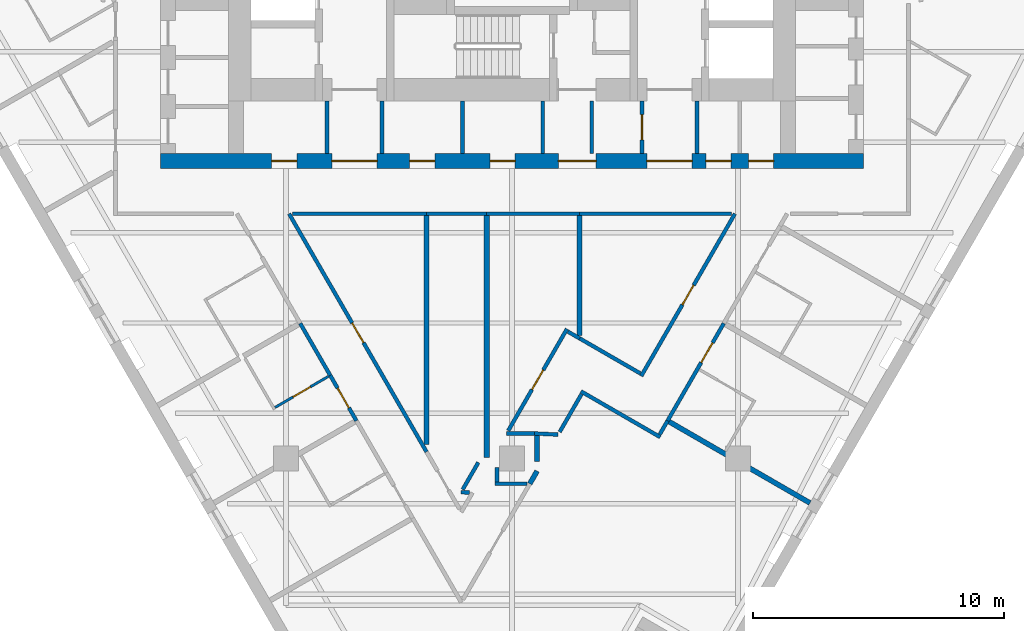
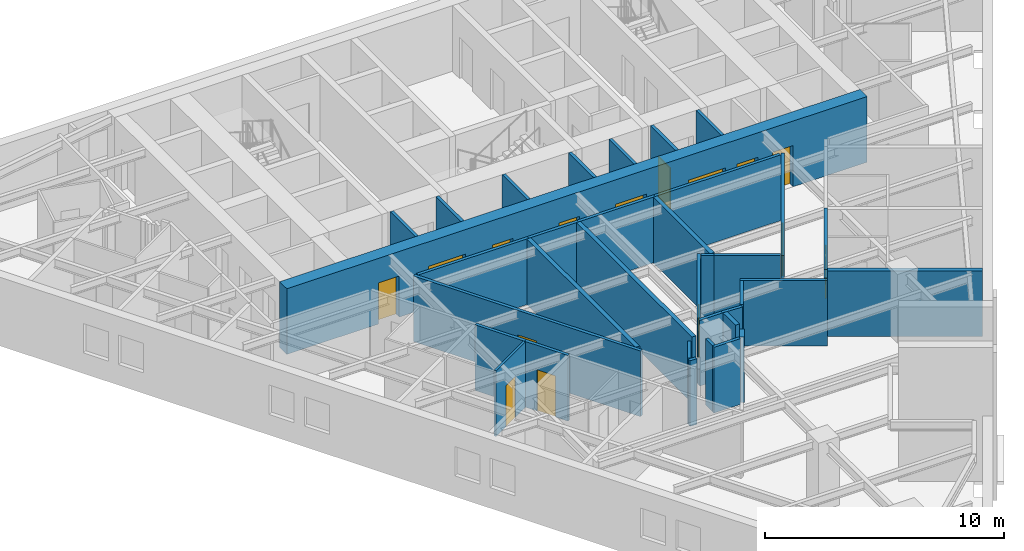
# One storey, part 4 of 11: 36 walls, 15 doors, 15 openings.
"""IFC4 building model written with IfcOpenShell, lengths in metres."""

from ifc_helpers import new_model, si_unit, direction, frame, frame_2d, origin, place, context, subcontext, project, spatial, rectangle, extrude, material, layer, layer_set, type_object, element, fill, save


model = new_model("IFC4")

# Units and contexts
model_context = context("Model", 3, precision=1e-05, world=origin(), true_north=direction((0.0, 1.0)))
body_context = subcontext(model_context, "Body", "Model", "MODEL_VIEW")
ifc_project = project(units=[si_unit("LENGTHUNIT", "METRE"), si_unit("AREAUNIT", "SQUARE_METRE"), si_unit("VOLUMEUNIT", "CUBIC_METRE"), si_unit("PLANEANGLEUNIT", "RADIAN"), si_unit("MASSUNIT", "GRAM", prefix="KILO")], contexts=[model_context])

# Site, building, storey
site_placement = place(None, origin())
site = spatial("IfcSite", under=ifc_project, at=site_placement, CompositionType="ELEMENT")
building_placement = place(site_placement, origin())
building = spatial("IfcBuilding", under=site, at=building_placement, Name="Aloe Facet Convention Tower", CompositionType="ELEMENT")
storey_placement = place(building_placement, frame((0.0, 0.0, 66.5)))
storey = spatial("IfcBuildingStorey", under=building, at=storey_placement, Name="L15", CompositionType="ELEMENT", Elevation=66.5)

# Walls
ifc_material_1 = material(Name="Concrete blockwork partition", Category="masonry")
ifc_layer_1 = layer(ifc_material_1, 0.14990234375)
ifc_layer_set_1 = layer_set([ifc_layer_1], Name="CR-W-PART150")
wall_type_1 = type_object("IfcWallType", Name="CR-W-PART150", PredefinedType="PARTITIONING", material=ifc_layer_set_1)
for number, where, z_axis, x_axis, name in (
    (1, (72.625, 122.25, 0.0), (0.0, 0.0, 1.0), (0.0, -1.0, 0.0), "Core partition L15-017"),
    (2, (74.824951171875, 122.25, 0.0), (0.0, 0.0, 1.0), (0.0, -1.0, 0.0), "Core partition L15-018"),
    (3, (78.02490234375, 122.25, 0.0), (0.0, 0.0, 1.0), (0.0, -1.0, 0.0), "Core partition L15-026"),
    (4, (81.22509765625, 122.25, 0.0), (0.0, 0.0, 1.0), (0.0, -1.0, 0.0), "Core partition L15-027"),
    (5, (83.175048828125, 122.25, 0.0), (0.0, 0.0, 1.0), (0.0, -1.0, 0.0), "Core partition L15-034"),
):
    element("IfcWall", number, at=place(storey_placement, frame(where, z_axis=z_axis, x_axis=x_axis)), inside=storey, type_object=wall_type_1, Name=name, PredefinedType="PARTITIONING", context=body_context, shape_type="SweptSolid", body=[
        extrude(rectangle(XDim=2.10009765625, YDim=0.14990234375, at=frame_2d((1.050048828125, 0.0))), origin(), (0.0, 0.0, 1.0), 3.35009765625),
    ])

# Wall, opening, door
wall_1_placement = place(storey_placement, frame((85.175048828125, 122.25, 0.0), z_axis=(0.0, 0.0, 1.0), x_axis=(0.0, -1.0, 0.0)))
wall_1 = element("IfcWall", 6, at=wall_1_placement, inside=storey, type_object=wall_type_1, Name="Core partition L15-040", PredefinedType="PARTITIONING", context=body_context, shape_type="SweptSolid", body=[
    extrude(rectangle(XDim=2.10009765625, YDim=0.14990234375, at=frame_2d((1.050048828125, 0.0))), origin(), (0.0, 0.0, 1.0), 3.35009765625),
])
opening_1_placement = place(wall_1_placement, frame((0.550048828125, 0.0, 0.0)))
opening_1 = element("IfcOpeningElement", 7, at=opening_1_placement, cuts=wall_1, Name="Opening L15-CD27", PredefinedType="OPENING", context=body_context, shape_type="SweptSolid", body=[
    extrude(rectangle(XDim=1.0, YDim=2.10009765625, at=frame_2d((0.5, 1.050048828125))), frame((0.0, 0.0849609375, 0.0), z_axis=(0.0, -1.0, 0.0), x_axis=(1.0, 0.0, 0.0)), (0.0, 0.0, 1.0), 0.169921875),
])
ifc_material_2 = material(Name="Steel fire-resisting door set FD60", Category="steel")
door_type_1 = type_object("IfcDoorType", Name="CR-D-ROOM-1000-FD60-SRIGHT", OperationType="SINGLE_SWING_RIGHT", PredefinedType="DOOR", material=ifc_material_2)
door_1_placement = place(opening_1_placement, origin())
door_1 = element("IfcDoor", 8, at=door_1_placement, inside=storey, type_object=door_type_1, Name="Core door L15-CD27", OperationType="SINGLE_SWING_RIGHT", OverallHeight=2.10009765625, OverallWidth=1.0, PredefinedType="DOOR", context=body_context, shape_type="SweptSolid", body=[
    extrude(rectangle(XDim=1.0, YDim=2.10009765625, at=frame_2d((0.5, 1.050048828125))), frame((0.0, 0.02490234375, 0.0), z_axis=(0.0, -1.0, 0.0), x_axis=(1.0, 0.0, 0.0)), (0.0, 0.0, 1.0), 0.050048828125),
])
fill(opening_1, door_1)

# Wall
wall_2_placement = place(storey_placement, frame((87.375, 122.25, 0.0), z_axis=(0.0, 0.0, 1.0), x_axis=(0.0, -1.0, 0.0)))
element("IfcWall", 9, at=wall_2_placement, inside=storey, type_object=wall_type_1, Name="Core partition L15-041", PredefinedType="PARTITIONING", context=body_context, shape_type="SweptSolid", body=[
    extrude(rectangle(XDim=2.10009765625, YDim=0.14990234375, at=frame_2d((1.050048828125, 0.0))), origin(), (0.0, 0.0, 1.0), 3.35009765625),
])

# Wall, openings, doors
ifc_material_3 = material(Name="Concrete C80/95", Category="concrete")
ifc_layer_2 = layer(ifc_material_3, 0.60009765625)
ifc_layer_set_2 = layer_set([ifc_layer_2], Name="CR-W-RC600-C8095")
wall_type_2 = type_object("IfcWallType", Name="CR-W-RC600-C8095", PredefinedType="SOLIDWALL", material=ifc_layer_set_2)
wall_3_placement = place(storey_placement, frame((66.0, 119.85009765625, 0.0), z_axis=(0.0, 0.0, 1.0), x_axis=(1.0, 0.0, 0.0)))
wall_3 = element("IfcWall", 10, at=wall_3_placement, inside=storey, type_object=wall_type_2, Name="Core wall L15-003", PredefinedType="SOLIDWALL", context=body_context, shape_type="SweptSolid", body=[
    extrude(rectangle(XDim=28.0, YDim=0.60009765625, at=frame_2d((14.0, 0.0))), origin(), (0.0, 0.0, 1.0), 3.35009765625),
])
opening_2_placement = place(wall_3_placement, frame((6.824951171875, 0.0, 0.0)))
opening_2 = element("IfcOpeningElement", 11, at=opening_2_placement, cuts=wall_3, Name="Opening L15-CD17", PredefinedType="OPENING", context=body_context, shape_type="SweptSolid", body=[
    extrude(rectangle(XDim=1.800048828125, YDim=2.10009765625, at=frame_2d((0.89990234375, 1.050048828125))), frame((0.0, 0.31005859375, 0.0), z_axis=(0.0, -1.0, 0.0), x_axis=(1.0, 0.0, 0.0)), (0.0, 0.0, 1.0), 0.6201171875),
])
opening_3_placement = place(wall_3_placement, frame((15.85009765625, 0.0, 0.0)))
opening_3 = element("IfcOpeningElement", 12, at=opening_3_placement, cuts=wall_3, Name="Opening L15-CD18", PredefinedType="OPENING", context=body_context, shape_type="SweptSolid", body=[
    extrude(rectangle(XDim=1.5, YDim=2.10009765625, at=frame_2d((0.75, 1.050048828125))), frame((0.0, 0.31005859375, 0.0), z_axis=(0.0, -1.0, 0.0), x_axis=(1.0, 0.0, 0.0)), (0.0, 0.0, 1.0), 0.6201171875),
])
opening_4_placement = place(wall_3_placement, frame((19.375, 0.0, 0.0)))
opening_4 = element("IfcOpeningElement", 13, at=opening_4_placement, cuts=wall_3, Name="Opening L15-CD19", PredefinedType="OPENING", context=body_context, shape_type="SweptSolid", body=[
    extrude(rectangle(XDim=1.800048828125, YDim=2.10009765625, at=frame_2d((0.89990234375, 1.050048828125))), frame((0.0, 0.31005859375, 0.0), z_axis=(0.0, -1.0, 0.0), x_axis=(1.0, 0.0, 0.0)), (0.0, 0.0, 1.0), 0.6201171875),
])
opening_5_placement = place(wall_3_placement, frame((4.425048828125, 0.0, 0.0)))
opening_5 = element("IfcOpeningElement", 14, at=opening_5_placement, cuts=wall_3, Name="Opening L15-CD24", PredefinedType="OPENING", context=body_context, shape_type="SweptSolid", body=[
    extrude(rectangle(XDim=1.0, YDim=2.10009765625, at=frame_2d((0.5, 1.050048828125))), frame((0.0, 0.31005859375, 0.0), z_axis=(0.0, -1.0, 0.0), x_axis=(1.0, 0.0, 0.0)), (0.0, 0.0, 1.0), 0.6201171875),
])
opening_6_placement = place(wall_3_placement, frame((9.925048828125, 0.0, 0.0)))
opening_6 = element("IfcOpeningElement", 15, at=opening_6_placement, cuts=wall_3, Name="Opening L15-CD25", PredefinedType="OPENING", context=body_context, shape_type="SweptSolid", body=[
    extrude(rectangle(XDim=1.0, YDim=2.10009765625, at=frame_2d((0.5, 1.050048828125))), frame((0.0, 0.31005859375, 0.0), z_axis=(0.0, -1.0, 0.0), x_axis=(1.0, 0.0, 0.0)), (0.0, 0.0, 1.0), 0.6201171875),
])
opening_7_placement = place(wall_3_placement, frame((13.125, 0.0, 0.0)))
opening_7 = element("IfcOpeningElement", 16, at=opening_7_placement, cuts=wall_3, Name="Opening L15-CD26", PredefinedType="OPENING", context=body_context, shape_type="SweptSolid", body=[
    extrude(rectangle(XDim=1.0, YDim=2.10009765625, at=frame_2d((0.5, 1.050048828125))), frame((0.0, 0.31005859375, 0.0), z_axis=(0.0, -1.0, 0.0), x_axis=(1.0, 0.0, 0.0)), (0.0, 0.0, 1.0), 0.6201171875),
])
opening_8_placement = place(wall_3_placement, frame((21.72509765625, 0.0, 0.0)))
opening_8 = element("IfcOpeningElement", 17, at=opening_8_placement, cuts=wall_3, Name="Opening L15-CD28", PredefinedType="OPENING", context=body_context, shape_type="SweptSolid", body=[
    extrude(rectangle(XDim=1.0, YDim=2.10009765625, at=frame_2d((0.5, 1.050048828125))), frame((0.0, 0.31005859375, 0.0), z_axis=(0.0, -1.0, 0.0), x_axis=(1.0, 0.0, 0.0)), (0.0, 0.0, 1.0), 0.6201171875),
])
opening_9_placement = place(wall_3_placement, frame((23.425048828125, 0.0, 0.0)))
opening_9 = element("IfcOpeningElement", 18, at=opening_9_placement, cuts=wall_3, Name="Opening L15-CD29", PredefinedType="OPENING", context=body_context, shape_type="SweptSolid", body=[
    extrude(rectangle(XDim=1.0, YDim=2.10009765625, at=frame_2d((0.5, 1.050048828125))), frame((0.0, 0.31005859375, 0.0), z_axis=(0.0, -1.0, 0.0), x_axis=(1.0, 0.0, 0.0)), (0.0, 0.0, 1.0), 0.6201171875),
])
ifc_material_4 = material(Name="Steel fire-resisting door set FD60", Category="steel")
door_type_2 = type_object("IfcDoorType", Name="CR-D-EXIT-1500-FD60-DD", OperationType="DOUBLE_DOOR_DOUBLE_SWING", PredefinedType="DOOR", material=ifc_material_4)
door_2_placement = place(opening_3_placement, origin())
door_2 = element("IfcDoor", 19, at=door_2_placement, inside=storey, type_object=door_type_2, Name="Core door L15-CD18", OperationType="DOUBLE_DOOR_DOUBLE_SWING", OverallHeight=2.10009765625, OverallWidth=1.5, PredefinedType="DOOR", context=body_context, shape_type="SweptSolid", body=[
    extrude(rectangle(XDim=1.5, YDim=2.10009765625, at=frame_2d((0.75, 1.050048828125))), frame((0.0, 0.02490234375, 0.0), z_axis=(0.0, -1.0, 0.0), x_axis=(1.0, 0.0, 0.0)), (0.0, 0.0, 1.0), 0.050048828125),
])
fill(opening_3, door_2)
ifc_material_5 = material(Name="Steel fire-resisting door set FD60", Category="steel")
door_type_3 = type_object("IfcDoorType", Name="CR-D-EXIT-1800-FD60-DD", OperationType="DOUBLE_DOOR_DOUBLE_SWING", PredefinedType="DOOR", material=ifc_material_5)
door_3_placement = place(opening_2_placement, origin())
door_3 = element("IfcDoor", 20, at=door_3_placement, inside=storey, type_object=door_type_3, Name="Core door L15-CD17", OperationType="DOUBLE_DOOR_DOUBLE_SWING", OverallHeight=2.10009765625, OverallWidth=1.800048828125, PredefinedType="DOOR", context=body_context, shape_type="SweptSolid", body=[
    extrude(rectangle(XDim=1.800048828125, YDim=2.10009765625, at=frame_2d((0.89990234375, 1.050048828125))), frame((0.0, 0.02490234375, 0.0), z_axis=(0.0, -1.0, 0.0), x_axis=(1.0, 0.0, 0.0)), (0.0, 0.0, 1.0), 0.050048828125),
])
fill(opening_2, door_3)
door_4_placement = place(opening_4_placement, origin())
door_4 = element("IfcDoor", 21, at=door_4_placement, inside=storey, type_object=door_type_3, Name="Core door L15-CD19", OperationType="DOUBLE_DOOR_DOUBLE_SWING", OverallHeight=2.10009765625, OverallWidth=1.800048828125, PredefinedType="DOOR", context=body_context, shape_type="SweptSolid", body=[
    extrude(rectangle(XDim=1.800048828125, YDim=2.10009765625, at=frame_2d((0.89990234375, 1.050048828125))), frame((0.0, 0.02490234375, 0.0), z_axis=(0.0, -1.0, 0.0), x_axis=(1.0, 0.0, 0.0)), (0.0, 0.0, 1.0), 0.050048828125),
])
fill(opening_4, door_4)
door_5_placement = place(opening_5_placement, origin())
door_5 = element("IfcDoor", 22, at=door_5_placement, inside=storey, type_object=door_type_1, Name="Core door L15-CD24", OperationType="SINGLE_SWING_RIGHT", OverallHeight=2.10009765625, OverallWidth=1.0, PredefinedType="DOOR", context=body_context, shape_type="SweptSolid", body=[
    extrude(rectangle(XDim=1.0, YDim=2.10009765625, at=frame_2d((0.5, 1.050048828125))), frame((0.0, 0.02490234375, 0.0), z_axis=(0.0, -1.0, 0.0), x_axis=(1.0, 0.0, 0.0)), (0.0, 0.0, 1.0), 0.050048828125),
])
fill(opening_5, door_5)
door_6_placement = place(opening_6_placement, origin())
door_6 = element("IfcDoor", 23, at=door_6_placement, inside=storey, type_object=door_type_1, Name="Core door L15-CD25", OperationType="SINGLE_SWING_RIGHT", OverallHeight=2.10009765625, OverallWidth=1.0, PredefinedType="DOOR", context=body_context, shape_type="SweptSolid", body=[
    extrude(rectangle(XDim=1.0, YDim=2.10009765625, at=frame_2d((0.5, 1.050048828125))), frame((0.0, 0.02490234375, 0.0), z_axis=(0.0, -1.0, 0.0), x_axis=(1.0, 0.0, 0.0)), (0.0, 0.0, 1.0), 0.050048828125),
])
fill(opening_6, door_6)
door_7_placement = place(opening_7_placement, origin())
door_7 = element("IfcDoor", 24, at=door_7_placement, inside=storey, type_object=door_type_1, Name="Core door L15-CD26", OperationType="SINGLE_SWING_RIGHT", OverallHeight=2.10009765625, OverallWidth=1.0, PredefinedType="DOOR", context=body_context, shape_type="SweptSolid", body=[
    extrude(rectangle(XDim=1.0, YDim=2.10009765625, at=frame_2d((0.5, 1.050048828125))), frame((0.0, 0.02490234375, 0.0), z_axis=(0.0, -1.0, 0.0), x_axis=(1.0, 0.0, 0.0)), (0.0, 0.0, 1.0), 0.050048828125),
])
fill(opening_7, door_7)
door_8_placement = place(opening_8_placement, origin())
door_8 = element("IfcDoor", 25, at=door_8_placement, inside=storey, type_object=door_type_1, Name="Core door L15-CD28", OperationType="SINGLE_SWING_RIGHT", OverallHeight=2.10009765625, OverallWidth=1.0, PredefinedType="DOOR", context=body_context, shape_type="SweptSolid", body=[
    extrude(rectangle(XDim=1.0, YDim=2.10009765625, at=frame_2d((0.5, 1.050048828125))), frame((0.0, 0.02490234375, 0.0), z_axis=(0.0, -1.0, 0.0), x_axis=(1.0, 0.0, 0.0)), (0.0, 0.0, 1.0), 0.050048828125),
])
fill(opening_8, door_8)
door_9_placement = place(opening_9_placement, origin())
door_9 = element("IfcDoor", 26, at=door_9_placement, inside=storey, type_object=door_type_1, Name="Core door L15-CD29", OperationType="SINGLE_SWING_RIGHT", OverallHeight=2.10009765625, OverallWidth=1.0, PredefinedType="DOOR", context=body_context, shape_type="SweptSolid", body=[
    extrude(rectangle(XDim=1.0, YDim=2.10009765625, at=frame_2d((0.5, 1.050048828125))), frame((0.0, 0.02490234375, 0.0), z_axis=(0.0, -1.0, 0.0), x_axis=(1.0, 0.0, 0.0)), (0.0, 0.0, 1.0), 0.050048828125),
])
fill(opening_9, door_9)

# Walls
ifc_material_6 = material(Name="Gypsum board partition on steel studs", Category="steel")
ifc_layer_3 = layer(ifc_material_6, 0.14990234375)
ifc_layer_set_3 = layer_set([ifc_layer_3], Name="IN-W-CORR")
wall_type_3 = type_object("IfcWallType", Name="IN-W-CORR", PredefinedType="PARTITIONING", material=ifc_layer_set_3)
wall_4_placement = place(storey_placement, frame((77.97314453125, 106.659912109375, 0.0), z_axis=(0.0, 0.0, 1.0), x_axis=(0.998820318198, -0.04855895339, 0.0)))
element("IfcWall", 27, at=wall_4_placement, inside=storey, type_object=wall_type_3, Name="Partition L15-W007", PredefinedType="PARTITIONING", context=body_context, shape_type="SweptSolid", body=[
    extrude(rectangle(XDim=0.326904296875, YDim=0.14990234375, at=frame_2d((0.16357421875, 0.0))), origin(), (0.0, 0.0, 1.0), 3.35009765625),
])
wall_5_placement = place(storey_placement, frame((78.03466796875, 106.766357421875, 0.0), z_axis=(0.0, 0.0, 1.0), x_axis=(0.49986946346, 0.866100755975, 0.0)))
element("IfcWall", 28, at=wall_5_placement, inside=storey, type_object=wall_type_3, Name="Partition L15-W008", PredefinedType="PARTITIONING", context=body_context, shape_type="SweptSolid", body=[
    extrude(rectangle(XDim=1.245849609375, YDim=0.14990234375, at=frame_2d((0.623046875, 0.0))), origin(), (0.0, 0.0, 1.0), 3.35009765625),
])
wall_6_placement = place(storey_placement, frame((79.324951171875, 107.0, 0.0), z_axis=(0.0, 0.0, 1.0), x_axis=(1.0, 0.0, 0.0)))
element("IfcWall", 29, at=wall_6_placement, inside=storey, type_object=wall_type_3, Name="Partition L15-W009", PredefinedType="PARTITIONING", context=body_context, shape_type="SweptSolid", body=[
    extrude(rectangle(XDim=1.27490234375, YDim=0.14990234375, at=frame_2d((0.637451171875, 0.0))), origin(), (0.0, 0.0, 1.0), 3.35009765625),
])
wall_7_placement = place(storey_placement, frame((79.39990234375, 107.074951171875, 0.0), z_axis=(0.0, 0.0, 1.0), x_axis=(0.0, 1.0, 0.0)))
element("IfcWall", 30, at=wall_7_placement, inside=storey, type_object=wall_type_3, Name="Partition L15-W013", PredefinedType="PARTITIONING", context=body_context, shape_type="SweptSolid", body=[
    extrude(rectangle(XDim=0.5712890625, YDim=0.14990234375, at=frame_2d((0.28564453125, 0.0))), origin(), (0.0, 0.0, 1.0), 3.35009765625),
])
wall_8_placement = place(storey_placement, frame((82.746826171875, 110.677978515625, 0.0), z_axis=(0.0, 0.0, 1.0), x_axis=(0.866024069551, -0.500002310952, 0.0)))
element("IfcWall", 31, at=wall_8_placement, inside=storey, type_object=wall_type_3, Name="Partition L15-W021", PredefinedType="PARTITIONING", context=body_context, shape_type="SweptSolid", body=[
    extrude(rectangle(XDim=3.64990234375, YDim=0.14990234375, at=frame_2d((1.824951171875, 0.0))), origin(), (0.0, 0.0, 1.0), 3.35009765625),
])
wall_9_placement = place(storey_placement, frame((80.900146484375, 109.0, 0.0), z_axis=(0.0, 0.0, 1.0), x_axis=(0.998790953554, -0.049159242245, 0.0)))
element("IfcWall", 32, at=wall_9_placement, inside=storey, type_object=wall_type_3, Name="Partition L15-W022", PredefinedType="PARTITIONING", context=body_context, shape_type="SweptSolid", body=[
    extrude(rectangle(XDim=0.938720703125, YDim=0.14990234375, at=frame_2d((0.46923828125, 0.0))), origin(), (0.0, 0.0, 1.0), 3.35009765625),
])
wall_10_placement = place(storey_placement, frame((79.786865234375, 109.0, 0.0), z_axis=(0.0, 0.0, 1.0), x_axis=(0.999991695237, -0.004075470229, 0.0)))
element("IfcWall", 33, at=wall_10_placement, inside=storey, type_object=wall_type_3, Name="Partition L15-W024", PredefinedType="PARTITIONING", context=body_context, shape_type="SweptSolid", body=[
    extrude(rectangle(XDim=1.13818359375, YDim=0.14990234375, at=frame_2d((0.569091796875, 0.0))), origin(), (0.0, 0.0, 1.0), 3.35009765625),
])

# Wall, opening, door
wall_11_placement = place(storey_placement, frame((79.8515625, 109.112060546875, 0.0), z_axis=(0.0, 0.0, 1.0), x_axis=(0.499871526978, 0.866099565013, 0.0)))
wall_11 = element("IfcWall", 34, at=wall_11_placement, inside=storey, type_object=wall_type_3, Name="Partition L15-W025", PredefinedType="PARTITIONING", context=body_context, shape_type="SweptSolid", body=[
    extrude(rectangle(XDim=4.678466796875, YDim=0.14990234375, at=frame_2d((2.33935546875, 0.0))), origin(), (0.0, 0.0, 1.0), 3.35009765625),
])
opening_10_placement = place(wall_11_placement, frame((1.88916015625, 0.0, 0.0)))
opening_10 = element("IfcOpeningElement", 35, at=opening_10_placement, cuts=wall_11, Name="Opening L15-014", PredefinedType="OPENING", context=body_context, shape_type="SweptSolid", body=[
    extrude(rectangle(XDim=0.89990234375, YDim=2.10009765625, at=frame_2d((0.449951171875, 1.050048828125))), frame((0.0, 0.0849609375, 0.0), z_axis=(0.0, -1.0, 0.0), x_axis=(1.0, 0.0, 0.0)), (0.0, 0.0, 1.0), 0.169921875),
])
ifc_material_7 = material(Name="Hardwood flush door FD30S", Category="wood")
door_type_4 = type_object("IfcDoorType", Name="IN-D-GUEST", OperationType="SINGLE_SWING_LEFT", PredefinedType="DOOR", material=ifc_material_7)
door_10_placement = place(opening_10_placement, origin())
door_10 = element("IfcDoor", 36, at=door_10_placement, inside=storey, type_object=door_type_4, Name="Door L15-014", OperationType="SINGLE_SWING_LEFT", OverallHeight=2.10009765625, OverallWidth=0.89990234375, PredefinedType="DOOR", context=body_context, shape_type="SweptSolid", body=[
    extrude(rectangle(XDim=0.89990234375, YDim=2.10009765625, at=frame_2d((0.449951171875, 1.050048828125))), frame((0.0, 0.02490234375, 0.0), z_axis=(0.0, -1.0, 0.0), x_axis=(1.0, 0.0, 0.0)), (0.0, 0.0, 1.0), 0.050048828125),
])
fill(opening_10, door_10)

wall_12_placement = place(storey_placement, frame((72.757080078125, 111.3154296875, 0.0), z_axis=(0.0, 0.0, 1.0), x_axis=(0.500046000743, -0.865998843614, 0.0)))
wall_12 = element("IfcWall", 37, at=wall_12_placement, inside=storey, type_object=wall_type_3, Name="Partition L15-W028", PredefinedType="PARTITIONING", context=body_context, shape_type="SweptSolid", body=[
    extrude(rectangle(XDim=2.090087890625, YDim=0.14990234375, at=frame_2d((1.044921875, 0.0))), origin(), (0.0, 0.0, 1.0), 3.35009765625),
])
opening_11_placement = place(wall_12_placement, frame((0.594970703125, 0.0, 0.0)))
opening_11 = element("IfcOpeningElement", 38, at=opening_11_placement, cuts=wall_12, Name="Opening L15-006", PredefinedType="OPENING", context=body_context, shape_type="SweptSolid", body=[
    extrude(rectangle(XDim=0.89990234375, YDim=2.10009765625, at=frame_2d((0.449951171875, 1.050048828125))), frame((0.0, 0.0849609375, 0.0), z_axis=(0.0, -1.0, 0.0), x_axis=(1.0, 0.0, 0.0)), (0.0, 0.0, 1.0), 0.169921875),
])
door_11_placement = place(opening_11_placement, origin())
door_11 = element("IfcDoor", 39, at=door_11_placement, inside=storey, type_object=door_type_4, Name="Door L15-006", OperationType="SINGLE_SWING_LEFT", OverallHeight=2.10009765625, OverallWidth=0.89990234375, PredefinedType="DOOR", context=body_context, shape_type="SweptSolid", body=[
    extrude(rectangle(XDim=0.89990234375, YDim=2.10009765625, at=frame_2d((0.449951171875, 1.050048828125))), frame((0.0, 0.02490234375, 0.0), z_axis=(0.0, -1.0, 0.0), x_axis=(1.0, 0.0, 0.0)), (0.0, 0.0, 1.0), 0.050048828125),
])
fill(opening_11, door_11)

# Walls
wall_13_placement = place(storey_placement, frame((85.88525390625, 108.964111328125, 0.0), z_axis=(0.0, 0.0, 1.0), x_axis=(0.500004234368, 0.866022959057, 0.0)))
element("IfcWall", 40, at=wall_13_placement, inside=storey, type_object=wall_type_3, Name="Partition L15-W030", PredefinedType="PARTITIONING", context=body_context, shape_type="SweptSolid", body=[
    extrude(rectangle(XDim=0.625, YDim=0.14990234375, at=frame_2d((0.3125, 0.0))), origin(), (0.0, 0.0, 1.0), 3.35009765625),
])
wall_14_placement = place(storey_placement, frame((81.89892578125, 109.060302734375, 0.0), z_axis=(0.0, 0.0, 1.0), x_axis=(0.50022850446, 0.865893436472, 0.0)))
element("IfcWall", 41, at=wall_14_placement, inside=storey, type_object=wall_type_3, Name="Partition L15-W037", PredefinedType="PARTITIONING", context=body_context, shape_type="SweptSolid", body=[
    extrude(rectangle(XDim=1.739990234375, YDim=0.14990234375, at=frame_2d((0.8701171875, 0.0))), origin(), (0.0, 0.0, 1.0), 3.35009765625),
])

# Wall, opening, door
wall_15_placement = place(storey_placement, frame((85.146484375, 111.284423828125, 0.0), z_axis=(0.0, 0.0, 1.0), x_axis=(0.500000804965, 0.866024939037, 0.0)))
wall_15 = element("IfcWall", 42, at=wall_15_placement, inside=storey, type_object=wall_type_3, Name="Partition L15-W039", PredefinedType="PARTITIONING", context=body_context, shape_type="SweptSolid", body=[
    extrude(rectangle(XDim=7.4658203125, YDim=0.14990234375, at=frame_2d((3.73291015625, 0.0))), origin(), (0.0, 0.0, 1.0), 3.35009765625),
])
opening_12_placement = place(wall_15_placement, frame((3.282958984375, 0.0, 0.0)))
opening_12 = element("IfcOpeningElement", 43, at=opening_12_placement, cuts=wall_15, Name="Opening L15-015", PredefinedType="OPENING", context=body_context, shape_type="SweptSolid", body=[
    extrude(rectangle(XDim=0.89990234375, YDim=2.10009765625, at=frame_2d((0.449951171875, 1.050048828125))), frame((0.0, 0.0849609375, 0.0), z_axis=(0.0, -1.0, 0.0), x_axis=(1.0, 0.0, 0.0)), (0.0, 0.0, 1.0), 0.169921875),
])
door_12_placement = place(opening_12_placement, origin())
door_12 = element("IfcDoor", 44, at=door_12_placement, inside=storey, type_object=door_type_4, Name="Door L15-015", OperationType="SINGLE_SWING_LEFT", OverallHeight=2.10009765625, OverallWidth=0.89990234375, PredefinedType="DOOR", context=body_context, shape_type="SweptSolid", body=[
    extrude(rectangle(XDim=0.89990234375, YDim=2.10009765625, at=frame_2d((0.449951171875, 1.050048828125))), frame((0.0, 0.02490234375, 0.0), z_axis=(0.0, -1.0, 0.0), x_axis=(1.0, 0.0, 0.0)), (0.0, 0.0, 1.0), 0.050048828125),
])
fill(opening_12, door_12)

# Walls
wall_16_placement = place(storey_placement, frame((82.697021484375, 112.785400390625, 0.0), z_axis=(0.0, 0.0, 1.0), x_axis=(0.865991541626, -0.500058646393, 0.0)))
element("IfcWall", 45, at=wall_16_placement, inside=storey, type_object=wall_type_3, Name="Partition L15-W045", PredefinedType="PARTITIONING", context=body_context, shape_type="SweptSolid", body=[
    extrude(rectangle(XDim=2.786865234375, YDim=0.14990234375, at=frame_2d((1.3935546875, 0.0))), origin(), (0.0, 0.0, 1.0), 3.35009765625),
])
wall_17_placement = place(storey_placement, frame((82.226318359375, 113.056640625, 0.0), z_axis=(0.0, 0.0, 1.0), x_axis=(0.866439850202, -0.499281469696, 0.0)))
element("IfcWall", 46, at=wall_17_placement, inside=storey, type_object=wall_type_3, Name="Partition L15-W047", PredefinedType="PARTITIONING", context=body_context, shape_type="SweptSolid", body=[
    extrude(rectangle(XDim=0.543212890625, YDim=0.14990234375, at=frame_2d((0.271484375, 0.0))), origin(), (0.0, 0.0, 1.0), 3.35009765625),
])
wall_18_placement = place(storey_placement, frame((71.562255859375, 113.38525390625, 0.0), z_axis=(0.0, 0.0, 1.0), x_axis=(0.499940577336, -0.866059708757, 0.0)))
element("IfcWall", 47, at=wall_18_placement, inside=storey, type_object=wall_type_3, Name="Partition L15-W048", PredefinedType="PARTITIONING", context=body_context, shape_type="SweptSolid", body=[
    extrude(rectangle(XDim=2.389892578125, YDim=0.14990234375, at=frame_2d((1.19482421875, 0.0))), origin(), (0.0, 0.0, 1.0), 3.35009765625),
])

# Wall, opening, door
wall_19_placement = place(storey_placement, frame((86.19775390625, 109.50537109375, 0.0), z_axis=(0.0, 0.0, 1.0), x_axis=(0.499989762656, 0.866031314237, 0.0)))
wall_19 = element("IfcWall", 48, at=wall_19_placement, inside=storey, type_object=wall_type_3, Name="Partition L15-W050", PredefinedType="PARTITIONING", context=body_context, shape_type="SweptSolid", body=[
    extrude(rectangle(XDim=4.47998046875, YDim=0.14990234375, at=frame_2d((2.239990234375, 0.0))), origin(), (0.0, 0.0, 1.0), 3.35009765625),
])
opening_13_placement = place(wall_19_placement, frame((2.68408203125, 0.0, 0.0)))
opening_13 = element("IfcOpeningElement", 49, at=opening_13_placement, cuts=wall_19, Name="Opening L15-008", PredefinedType="OPENING", context=body_context, shape_type="SweptSolid", body=[
    extrude(rectangle(XDim=0.89990234375, YDim=2.10009765625, at=frame_2d((0.449951171875, 1.050048828125))), frame((0.0, 0.0849609375, 0.0), z_axis=(0.0, -1.0, 0.0), x_axis=(1.0, 0.0, 0.0)), (0.0, 0.0, 1.0), 0.169921875),
])
door_13_placement = place(opening_13_placement, origin())
door_13 = element("IfcDoor", 50, at=door_13_placement, inside=storey, type_object=door_type_4, Name="Door L15-008", OperationType="SINGLE_SWING_LEFT", OverallHeight=2.10009765625, OverallWidth=0.89990234375, PredefinedType="DOOR", context=body_context, shape_type="SweptSolid", body=[
    extrude(rectangle(XDim=0.89990234375, YDim=2.10009765625, at=frame_2d((0.449951171875, 1.050048828125))), frame((0.0, 0.02490234375, 0.0), z_axis=(0.0, -1.0, 0.0), x_axis=(1.0, 0.0, 0.0)), (0.0, 0.0, 1.0), 0.050048828125),
])
fill(opening_13, door_13)

wall_20_placement = place(storey_placement, frame((71.12060546875, 117.75, 0.0), z_axis=(0.0, 0.0, 1.0), x_axis=(0.499997830002, -0.86602665663, 0.0)))
wall_20 = element("IfcWall", 51, at=wall_20_placement, inside=storey, type_object=wall_type_3, Name="Partition L15-W062", PredefinedType="PARTITIONING", context=body_context, shape_type="SweptSolid", body=[
    extrude(rectangle(XDim=10.94873046875, YDim=0.14990234375, at=frame_2d((5.474365234375, 0.0))), origin(), (0.0, 0.0, 1.0), 3.35009765625),
])
opening_14_placement = place(wall_20_placement, frame((5.0244140625, 0.0, 0.0)))
opening_14 = element("IfcOpeningElement", 52, at=opening_14_placement, cuts=wall_20, Name="Opening L15-012", PredefinedType="OPENING", context=body_context, shape_type="SweptSolid", body=[
    extrude(rectangle(XDim=0.89990234375, YDim=2.10009765625, at=frame_2d((0.449951171875, 1.050048828125))), frame((0.0, 0.0849609375, 0.0), z_axis=(0.0, -1.0, 0.0), x_axis=(1.0, 0.0, 0.0)), (0.0, 0.0, 1.0), 0.169921875),
])
door_14_placement = place(opening_14_placement, origin())
door_14 = element("IfcDoor", 53, at=door_14_placement, inside=storey, type_object=door_type_4, Name="Door L15-012", OperationType="SINGLE_SWING_LEFT", OverallHeight=2.10009765625, OverallWidth=0.89990234375, PredefinedType="DOOR", context=body_context, shape_type="SweptSolid", body=[
    extrude(rectangle(XDim=0.89990234375, YDim=2.10009765625, at=frame_2d((0.449951171875, 1.050048828125))), frame((0.0, 0.02490234375, 0.0), z_axis=(0.0, -1.0, 0.0), x_axis=(1.0, 0.0, 0.0)), (0.0, 0.0, 1.0), 0.050048828125),
])
fill(opening_14, door_14)

# Walls
wall_21_placement = place(storey_placement, frame((71.25048828125, 117.75, 0.0), z_axis=(0.0, 0.0, 1.0), x_axis=(1.0, 0.0, 0.0)))
element("IfcWall", 54, at=wall_21_placement, inside=storey, type_object=wall_type_3, Name="Partition L15-W063", PredefinedType="PARTITIONING", context=body_context, shape_type="SweptSolid", body=[
    extrude(rectangle(XDim=5.344482421875, YDim=0.14990234375, at=frame_2d((2.67236328125, 0.0))), origin(), (0.0, 0.0, 1.0), 3.35009765625),
])
wall_22_placement = place(storey_placement, frame((76.594970703125, 117.75, 0.0), z_axis=(0.0, 0.0, 1.0), x_axis=(1.0, 0.0, 0.0)))
element("IfcWall", 55, at=wall_22_placement, inside=storey, type_object=wall_type_3, Name="Partition L15-W064", PredefinedType="PARTITIONING", context=body_context, shape_type="SweptSolid", body=[
    extrude(rectangle(XDim=2.39892578125, YDim=0.14990234375, at=frame_2d((1.199462890625, 0.0))), origin(), (0.0, 0.0, 1.0), 3.35009765625),
])
wall_23_placement = place(storey_placement, frame((78.993896484375, 117.75, 0.0), z_axis=(0.0, 0.0, 1.0), x_axis=(1.0, 0.0, 0.0)))
element("IfcWall", 56, at=wall_23_placement, inside=storey, type_object=wall_type_3, Name="Partition L15-W065", PredefinedType="PARTITIONING", context=body_context, shape_type="SweptSolid", body=[
    extrude(rectangle(XDim=3.7041015625, YDim=0.14990234375, at=frame_2d((1.85205078125, 0.0))), origin(), (0.0, 0.0, 1.0), 3.35009765625),
])
wall_24_placement = place(storey_placement, frame((82.697998046875, 117.75, 0.0), z_axis=(0.0, 0.0, 1.0), x_axis=(1.0, 0.0, 0.0)))
element("IfcWall", 57, at=wall_24_placement, inside=storey, type_object=wall_type_3, Name="Partition L15-W066", PredefinedType="PARTITIONING", context=body_context, shape_type="SweptSolid", body=[
    extrude(rectangle(XDim=6.051513671875, YDim=0.14990234375, at=frame_2d((3.02587890625, 0.0))), origin(), (0.0, 0.0, 1.0), 3.35009765625),
])

# Wall, opening, door
ifc_material_8 = material(Name="Gypsum board partition on steel studs", Category="steel")
ifc_layer_4 = layer(ifc_material_8, 0.10009765625)
ifc_layer_set_4 = layer_set([ifc_layer_4], Name="IN-W-PART")
wall_type_4 = type_object("IfcWallType", Name="IN-W-PART", PredefinedType="PARTITIONING", material=ifc_layer_set_4)
wall_25_placement = place(storey_placement, frame((70.562255859375, 110.037109375, 0.0), z_axis=(0.0, 0.0, 1.0), x_axis=(0.864132137734, 0.503264988386, 0.0)))
wall_25 = element("IfcWall", 58, at=wall_25_placement, inside=storey, type_object=wall_type_4, Name="Partition L15-W038", PredefinedType="PARTITIONING", context=body_context, shape_type="SweptSolid", body=[
    extrude(rectangle(XDim=2.455078125, YDim=0.10009765625, at=frame_2d((1.2275390625, 0.0))), origin(), (0.0, 0.0, 1.0), 3.35009765625),
])
opening_15_placement = place(wall_25_placement, frame((0.827392578125, 0.0, 0.0)))
opening_15 = element("IfcOpeningElement", 59, at=opening_15_placement, cuts=wall_25, Name="Opening L15-021", PredefinedType="OPENING", context=body_context, shape_type="SweptSolid", body=[
    extrude(rectangle(XDim=0.800048828125, YDim=2.10009765625, at=frame_2d((0.39990234375, 1.050048828125))), frame((0.0, 0.06005859375, 0.0), z_axis=(0.0, -1.0, 0.0), x_axis=(1.0, 0.0, 0.0)), (0.0, 0.0, 1.0), 0.1201171875),
])
ifc_material_9 = material(Name="Timber flush door", Category="wood")
door_type_5 = type_object("IfcDoorType", Name="IN-D-BATH", OperationType="SINGLE_SWING_LEFT", PredefinedType="DOOR", material=ifc_material_9)
door_15_placement = place(opening_15_placement, origin())
door_15 = element("IfcDoor", 60, at=door_15_placement, inside=storey, type_object=door_type_5, Name="Door L15-021", OperationType="SINGLE_SWING_LEFT", OverallHeight=2.10009765625, OverallWidth=0.800048828125, PredefinedType="DOOR", context=body_context, shape_type="SweptSolid", body=[
    extrude(rectangle(XDim=0.800048828125, YDim=2.10009765625, at=frame_2d((0.39990234375, 1.050048828125))), frame((0.0, 0.02490234375, 0.0), z_axis=(0.0, -1.0, 0.0), x_axis=(1.0, 0.0, 0.0)), (0.0, 0.0, 1.0), 0.050048828125),
])
fill(opening_15, door_15)

# Walls
ifc_material_10 = material(Name="Gypsum board partition on steel studs", Category="steel")
ifc_layer_5 = layer(ifc_material_10, 0.199951171875)
ifc_layer_set_5 = layer_set([ifc_layer_5], Name="IN-W-PARTY")
wall_type_5 = type_object("IfcWallType", Name="IN-W-PARTY", PredefinedType="PARTITIONING", material=ifc_layer_set_5)
wall_26_placement = place(storey_placement, frame((80.709716796875, 107.0, 0.0), z_axis=(0.0, 0.0, 1.0), x_axis=(0.500074377092, 0.865982457891, 0.0)))
element("IfcWall", 61, at=wall_26_placement, inside=storey, type_object=wall_type_5, Name="Partition L15-W012", PredefinedType="PARTITIONING", context=body_context, shape_type="SweptSolid", body=[
    extrude(rectangle(XDim=0.58056640625, YDim=0.199951171875, at=frame_2d((0.290283203125, 0.0))), origin(), (0.0, 0.0, 1.0), 3.35009765625),
])
wall_27_placement = place(storey_placement, frame((78.993896484375, 108.0380859375, 0.0), z_axis=(0.0, 0.0, 1.0), x_axis=(0.0, 1.0, 0.0)))
element("IfcWall", 62, at=wall_27_placement, inside=storey, type_object=wall_type_5, Name="Partition L15-W014", PredefinedType="PARTITIONING", context=body_context, shape_type="SweptSolid", body=[
    extrude(rectangle(XDim=9.636962890625, YDim=0.199951171875, at=frame_2d((4.818359375, 0.0))), origin(), (0.0, 0.0, 1.0), 3.35009765625),
])
wall_28_placement = place(storey_placement, frame((76.594970703125, 108.563232421875, 0.0), z_axis=(0.0, 0.0, 1.0), x_axis=(0.0, 1.0, 0.0)))
element("IfcWall", 63, at=wall_28_placement, inside=storey, type_object=wall_type_5, Name="Partition L15-W020", PredefinedType="PARTITIONING", context=body_context, shape_type="SweptSolid", body=[
    extrude(rectangle(XDim=9.11181640625, YDim=0.199951171875, at=frame_2d((4.555908203125, 0.0))), origin(), (0.0, 0.0, 1.0), 3.35009765625),
])
wall_29_placement = place(storey_placement, frame((81.0, 107.875732421875, 0.0), z_axis=(0.0, 0.0, 1.0), x_axis=(0.0, 1.0, 0.0)))
element("IfcWall", 64, at=wall_29_placement, inside=storey, type_object=wall_type_5, Name="Partition L15-W023", PredefinedType="PARTITIONING", context=body_context, shape_type="SweptSolid", body=[
    extrude(rectangle(XDim=1.044189453125, YDim=0.199951171875, at=frame_2d((0.52197265625, 0.0))), origin(), (0.0, 0.0, 1.0), 3.35009765625),
])
wall_30_placement = place(storey_placement, frame((86.2626953125, 109.468017578125, 0.0), z_axis=(0.0, 0.0, 1.0), x_axis=(0.866027988781, -0.499995522627, 0.0)))
element("IfcWall", 65, at=wall_30_placement, inside=storey, type_object=wall_type_5, Name="Partition L15-W029", PredefinedType="PARTITIONING", context=body_context, shape_type="SweptSolid", body=[
    extrude(rectangle(XDim=6.47509765625, YDim=0.199951171875, at=frame_2d((3.237548828125, 0.0))), origin(), (0.0, 0.0, 1.0), 3.35009765625),
])
wall_31_placement = place(storey_placement, frame((82.697021484375, 112.910400390625, 0.0), z_axis=(0.0, 0.0, 1.0), x_axis=(0.000204960028, 0.999999978996, 0.0)))
element("IfcWall", 66, at=wall_31_placement, inside=storey, type_object=wall_type_5, Name="Partition L15-W046", PredefinedType="PARTITIONING", context=body_context, shape_type="SweptSolid", body=[
    extrude(rectangle(XDim=4.7646484375, YDim=0.199951171875, at=frame_2d((2.38232421875, 0.0))), origin(), (0.0, 0.0, 1.0), 3.35009765625),
])

save(model, "model.ifc")
